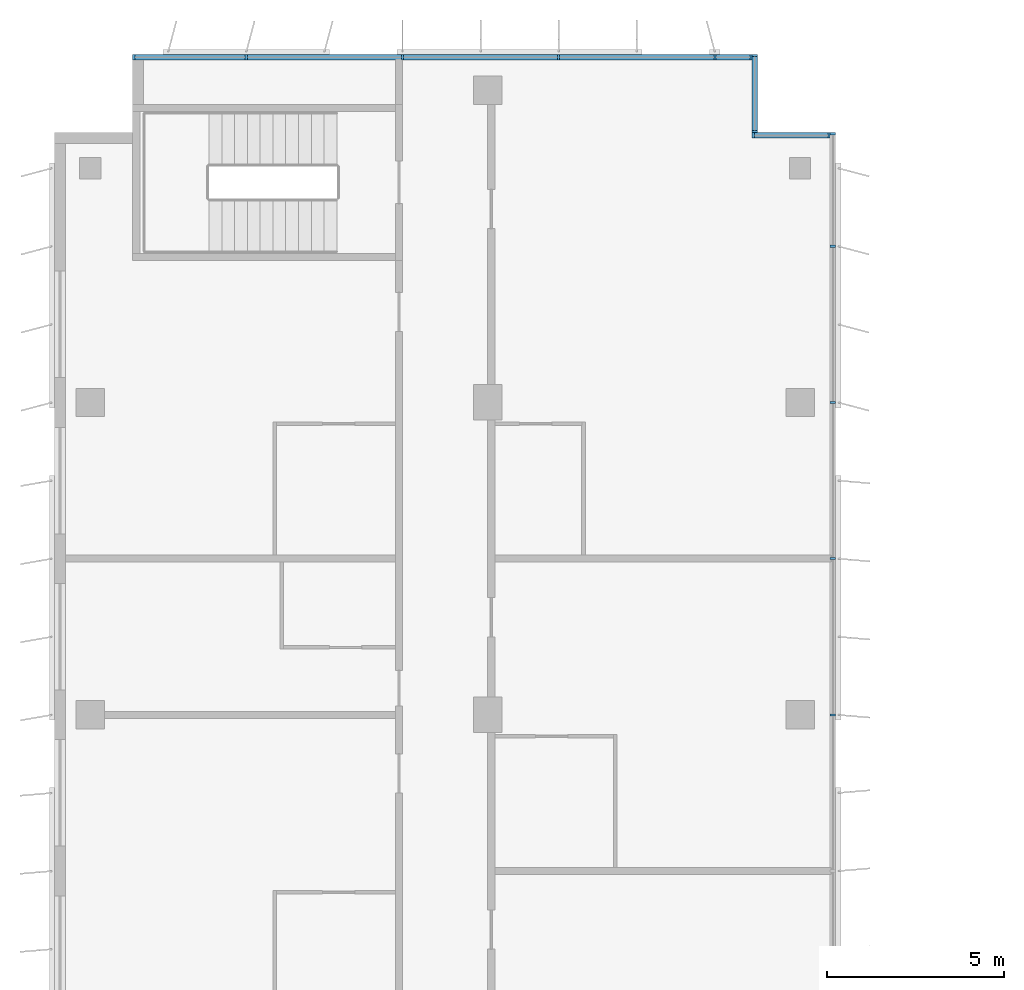
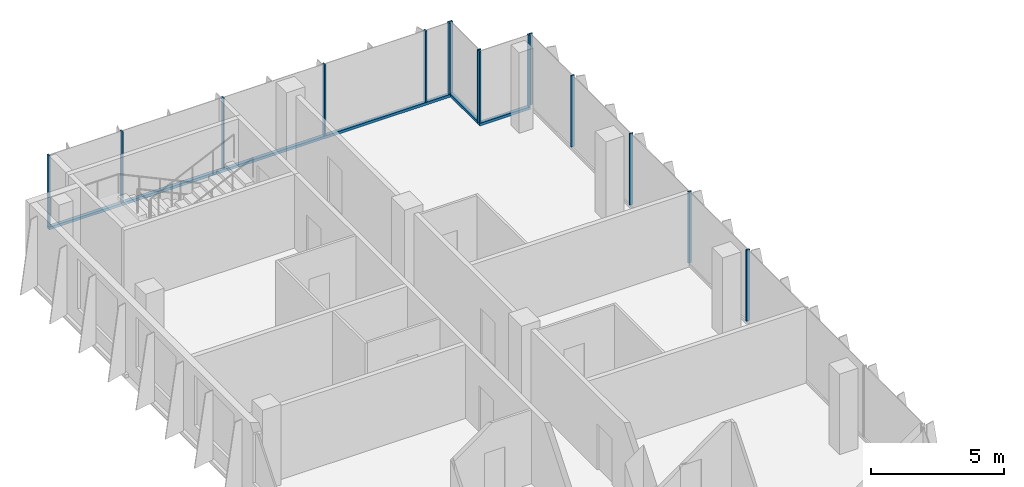
# One storey, part 6 of 15: 18 members, 4 elements without a shape of their own.
"""IFC4 building model written with IfcOpenShell, lengths in metres."""

from ifc_helpers import new_model, si_unit, direction, frame, origin, origin_2d, place, context, subcontext, project, spatial, rectangle, extrude, source, transform, mapped, material, material_profile, profile_set, type_object, element, aggregate, save


model = new_model("IFC4")

# Units and contexts
model_context = context("Model", 3, precision=1e-05, world=origin(), true_north=direction((0.0, 1.0)))
body_context = subcontext(model_context, "Body", "Model", "MODEL_VIEW")
ifc_project = project(units=[si_unit("LENGTHUNIT", "METRE"), si_unit("AREAUNIT", "SQUARE_METRE"), si_unit("VOLUMEUNIT", "CUBIC_METRE"), si_unit("PLANEANGLEUNIT", "RADIAN"), si_unit("MASSUNIT", "GRAM", prefix="KILO")], contexts=[model_context])

# Site, building, storey
site_placement = place(None, origin())
site = spatial("IfcSite", under=ifc_project, at=site_placement, CompositionType="ELEMENT")
building_placement = place(site_placement, origin())
building = spatial("IfcBuilding", under=site, at=building_placement, Name="Kemantara Hotel Tower", CompositionType="ELEMENT")
storey_placement = place(building_placement, frame((0.0, 0.0, 290.699951171875)))
storey = spatial("IfcBuildingStorey", under=building, at=storey_placement, Name="L73", CompositionType="ELEMENT", Elevation=290.699951171875)

# Curtain wall, member
ifc_material_1 = material(Name="Low-E tinted double insulated glass 36 mm", Category="glass")
curtain_wall_type = type_object("IfcCurtainWallType", Name="TOWER CURTAIN WALL, FRONT FACES", PredefinedType="USERDEFINED", material=ifc_material_1)
curtain_wall_1_placement = place(storey_placement, origin())
curtain_wall_1 = element("IfcCurtainWall", 1, at=curtain_wall_1_placement, inside=storey, type_object=curtain_wall_type, Name="CW4 L73 T4-R02-1", ObjectType="TOWER CURTAIN WALL, FRONT FACES", PredefinedType="USERDEFINED")
ifc_material_2 = material(Name="Aluminium 6063-T6 bronze anodised", Category="aluminium")
ifc_material_profile_1 = material_profile(ifc_material_2, rectangle(XDim=0.14990234375, YDim=0.1201171875, at=origin_2d()), Name="TOWER CURTAIN WALL, FRONT FACES TRANSOM")
ifc_profile_set_1 = profile_set([ifc_material_profile_1], Name="Aluminium 6063-T6 bronze anodised")
member_type_1 = type_object("IfcMemberType", Name="TOWER CURTAIN WALL, FRONT FACES TRANSOM", PredefinedType="USERDEFINED", material=ifc_profile_set_1)
member_1_placement = place(storey_placement, frame((19.64990234375, 63.52490234375, 0.06005859375), z_axis=(-1.0, 0.0, 0.0), x_axis=(0.0, -1.0, 0.0)))
member_1 = element("IfcMember", 2, at=member_1_placement, type_object=member_type_1, Name="CW4 sill transom T4-R02-1", ObjectType="TRANSOM", PredefinedType="USERDEFINED", context=body_context, shape_type="SweptSolid", body=[
    extrude(rectangle(XDim=0.14990234375, YDim=0.1201171875, at=origin_2d()), origin(), (0.0, 0.0, 1.0), 17.449951171875),
])

curtain_wall_2_placement = place(storey_placement, origin())
curtain_wall_2 = element("IfcCurtainWall", 3, at=curtain_wall_2_placement, inside=storey, type_object=curtain_wall_type, Name="CW4 L73 T4-R00-1", ObjectType="TOWER CURTAIN WALL, FRONT FACES", PredefinedType="USERDEFINED")
member_2_placement = place(storey_placement, frame((21.85009765625, 61.324951171875, 0.06005859375), z_axis=(-1.0, 0.0, 0.0), x_axis=(0.0, -1.0, 0.0)))
member_2 = element("IfcMember", 4, at=member_2_placement, type_object=member_type_1, Name="CW4 sill transom T4-R00-1", ObjectType="TRANSOM", PredefinedType="USERDEFINED", context=body_context, shape_type="SweptSolid", body=[
    extrude(rectangle(XDim=0.14990234375, YDim=0.1201171875, at=origin_2d()), origin(), (0.0, 0.0, 1.0), 2.2001953125),
])

curtain_wall_3_placement = place(storey_placement, origin())
curtain_wall_3 = element("IfcCurtainWall", 5, at=curtain_wall_3_placement, inside=storey, type_object=curtain_wall_type, Name="CW4 L73 T4-R01-1", ObjectType="TOWER CURTAIN WALL, FRONT FACES", PredefinedType="USERDEFINED")
member_3_placement = place(storey_placement, frame((19.72509765625, 61.39990234375, 0.06005859375), z_axis=(0.0, 1.0, 0.0), x_axis=(-1.0, 0.0, 0.0)))
member_3 = element("IfcMember", 6, at=member_3_placement, type_object=member_type_1, Name="CW4 sill transom T4-R01-1", ObjectType="TRANSOM", PredefinedType="USERDEFINED", context=body_context, shape_type="SweptSolid", body=[
    extrude(rectangle(XDim=0.14990234375, YDim=0.1201171875, at=origin_2d()), origin(), (0.0, 0.0, 1.0), 2.2001953125),
])

# Member
ifc_material_profile_2 = material_profile(ifc_material_2, rectangle(XDim=0.14990234375, YDim=0.06005859375, at=origin_2d()), Name="TOWER CURTAIN WALL, FRONT FACES MULLION")
ifc_profile_set_2 = profile_set([ifc_material_profile_2], Name="Aluminium 6063-T6 bronze anodised")
member_type_2 = type_object("IfcMemberType", Name="TOWER CURTAIN WALL, FRONT FACES MULLION", PredefinedType="MULLION", material=ifc_profile_set_2)
shared_shape = source(origin(), body_context, "Body", "SweptSolid", [
    extrude(rectangle(XDim=0.14990234375, YDim=0.06005859375, at=origin_2d()), origin(), (0.0, 0.0, 1.0), 3.280029296875),
])
member_4_placement = place(storey_placement, frame((19.6201171875, 63.52490234375, 0.1201171875), z_axis=(0.0, 0.0, 1.0), x_axis=(0.0, -1.0, 0.0)))
member_4 = element("IfcMember", 7, at=member_4_placement, type_object=member_type_2, Name="CW4 mullion T4-R02-1.1", PredefinedType="MULLION", context=body_context, shape_type="MappedRepresentation", body=[
    mapped(shared_shape, transform((0.0, 0.0, 0.0))),
])

member_5_placement = place(storey_placement, frame((18.60009765625, 63.52490234375, 0.1201171875), z_axis=(0.0, 0.0, 1.0), x_axis=(0.0, -1.0, 0.0)))
member_5 = element("IfcMember", 8, at=member_5_placement, type_object=member_type_2, Name="CW4 mullion T4-R02-1.2", PredefinedType="MULLION", context=body_context, shape_type="MappedRepresentation", body=[
    mapped(shared_shape, transform((0.0, 0.0, 0.0))),
])

member_6_placement = place(storey_placement, frame((14.199951171875, 63.52490234375, 0.1201171875), z_axis=(0.0, 0.0, 1.0), x_axis=(0.0, -1.0, 0.0)))
member_6 = element("IfcMember", 9, at=member_6_placement, type_object=member_type_2, Name="CW4 mullion T4-R02-1.3", PredefinedType="MULLION", context=body_context, shape_type="MappedRepresentation", body=[
    mapped(shared_shape, transform((0.0, 0.0, 0.0))),
])

member_7_placement = place(storey_placement, frame((9.800048828125, 63.52490234375, 0.1201171875), z_axis=(0.0, 0.0, 1.0), x_axis=(0.0, -1.0, 0.0)))
member_7 = element("IfcMember", 10, at=member_7_placement, type_object=member_type_2, Name="CW4 mullion T4-R02-1.4", PredefinedType="MULLION", context=body_context, shape_type="MappedRepresentation", body=[
    mapped(shared_shape, transform((0.0, 0.0, 0.0))),
])

member_8_placement = place(storey_placement, frame((5.39990234375, 63.52490234375, 0.1201171875), z_axis=(0.0, 0.0, 1.0), x_axis=(0.0, -1.0, 0.0)))
member_8 = element("IfcMember", 11, at=member_8_placement, type_object=member_type_2, Name="CW4 mullion T4-R02-1.5", PredefinedType="MULLION", context=body_context, shape_type="MappedRepresentation", body=[
    mapped(shared_shape, transform((0.0, 0.0, 0.0))),
])

member_9_placement = place(storey_placement, frame((2.22998046875, 63.52490234375, 0.1201171875), z_axis=(0.0, 0.0, 1.0), x_axis=(0.0, -1.0, 0.0)))
member_9 = element("IfcMember", 12, at=member_9_placement, type_object=member_type_2, Name="CW4 mullion T4-R02-1.6", PredefinedType="MULLION", context=body_context, shape_type="MappedRepresentation", body=[
    mapped(shared_shape, transform((0.0, 0.0, 0.0))),
])

aggregate(curtain_wall_1, [member_1, member_4, member_5, member_6, member_7, member_8, member_9])

# Curtain wall, members
curtain_wall_4_placement = place(storey_placement, origin())
curtain_wall_4 = element("IfcCurtainWall", 13, at=curtain_wall_4_placement, inside=storey, type_object=curtain_wall_type, Name="CW4 L73 T4-R15-1", ObjectType="TOWER CURTAIN WALL, FRONT FACES", PredefinedType="USERDEFINED")
member_10_placement = place(storey_placement, frame((21.925048828125, 45.0, 0.1201171875), z_axis=(0.0, 0.0, 1.0), x_axis=(-1.0, 0.0, 0.0)))
member_10 = element("IfcMember", 14, at=member_10_placement, type_object=member_type_2, Name="CW4 mullion T4-R15-1.6", PredefinedType="MULLION", context=body_context, shape_type="MappedRepresentation", body=[
    mapped(shared_shape, transform((0.0, 0.0, 0.0))),
])
member_11_placement = place(storey_placement, frame((21.925048828125, 49.39990234375, 0.1201171875), z_axis=(0.0, 0.0, 1.0), x_axis=(-1.0, 0.0, 0.0)))
member_11 = element("IfcMember", 15, at=member_11_placement, type_object=member_type_2, Name="CW4 mullion T4-R15-1.7", PredefinedType="MULLION", context=body_context, shape_type="MappedRepresentation", body=[
    mapped(shared_shape, transform((0.0, 0.0, 0.0))),
])
member_12_placement = place(storey_placement, frame((21.925048828125, 53.800048828125, 0.1201171875), z_axis=(0.0, 0.0, 1.0), x_axis=(-1.0, 0.0, 0.0)))
member_12 = element("IfcMember", 16, at=member_12_placement, type_object=member_type_2, Name="CW4 mullion T4-R15-1.8", PredefinedType="MULLION", context=body_context, shape_type="MappedRepresentation", body=[
    mapped(shared_shape, transform((0.0, 0.0, 0.0))),
])
member_13_placement = place(storey_placement, frame((21.925048828125, 58.199951171875, 0.1201171875), z_axis=(0.0, 0.0, 1.0), x_axis=(-1.0, 0.0, 0.0)))
member_13 = element("IfcMember", 17, at=member_13_placement, type_object=member_type_2, Name="CW4 mullion T4-R15-1.9", PredefinedType="MULLION", context=body_context, shape_type="MappedRepresentation", body=[
    mapped(shared_shape, transform((0.0, 0.0, 0.0))),
])
member_14_placement = place(storey_placement, frame((21.925048828125, 61.3701171875, 0.1201171875), z_axis=(0.0, 0.0, 1.0), x_axis=(-1.0, 0.0, 0.0)))
member_14 = element("IfcMember", 18, at=member_14_placement, type_object=member_type_2, Name="CW4 mullion T4-R15-1.10", PredefinedType="MULLION", context=body_context, shape_type="MappedRepresentation", body=[
    mapped(shared_shape, transform((0.0, 0.0, 0.0))),
])
aggregate(curtain_wall_4, [member_10, member_11, member_12, member_13, member_14])

# Member
member_15_placement = place(storey_placement, frame((21.820068359375, 61.324951171875, 0.1201171875), z_axis=(0.0, 0.0, 1.0), x_axis=(0.0, -1.0, 0.0)))
member_15 = element("IfcMember", 19, at=member_15_placement, type_object=member_type_2, Name="CW4 mullion T4-R00-1.1", PredefinedType="MULLION", context=body_context, shape_type="MappedRepresentation", body=[
    mapped(shared_shape, transform((0.0, 0.0, 0.0))),
])

member_16_placement = place(storey_placement, frame((19.679931640625, 61.324951171875, 0.1201171875), z_axis=(0.0, 0.0, 1.0), x_axis=(0.0, -1.0, 0.0)))
member_16 = element("IfcMember", 20, at=member_16_placement, type_object=member_type_2, Name="CW4 mullion T4-R00-1.2", PredefinedType="MULLION", context=body_context, shape_type="MappedRepresentation", body=[
    mapped(shared_shape, transform((0.0, 0.0, 0.0))),
])

aggregate(curtain_wall_2, [member_2, member_15, member_16])

member_17_placement = place(storey_placement, frame((19.72509765625, 61.429931640625, 0.1201171875), z_axis=(0.0, 0.0, 1.0), x_axis=(-1.0, 0.0, 0.0)))
member_17 = element("IfcMember", 21, at=member_17_placement, type_object=member_type_2, Name="CW4 mullion T4-R01-1.1", PredefinedType="MULLION", context=body_context, shape_type="MappedRepresentation", body=[
    mapped(shared_shape, transform((0.0, 0.0, 0.0))),
])

member_18_placement = place(storey_placement, frame((19.72509765625, 63.570068359375, 0.1201171875), z_axis=(0.0, 0.0, 1.0), x_axis=(-1.0, 0.0, 0.0)))
member_18 = element("IfcMember", 22, at=member_18_placement, type_object=member_type_2, Name="CW4 mullion T4-R01-1.2", PredefinedType="MULLION", context=body_context, shape_type="MappedRepresentation", body=[
    mapped(shared_shape, transform((0.0, 0.0, 0.0))),
])

aggregate(curtain_wall_3, [member_3, member_17, member_18])

save(model, "model.ifc")
